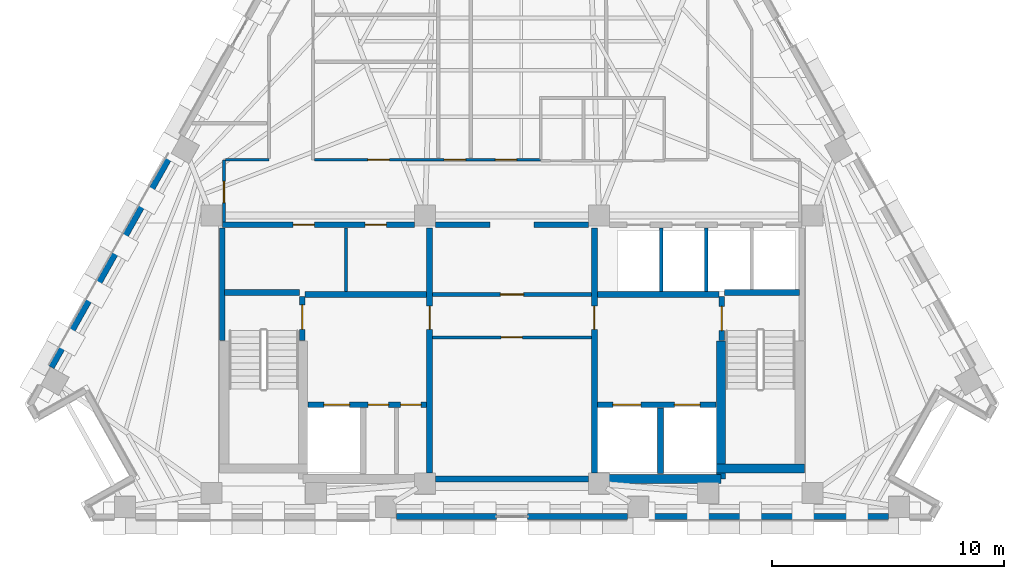
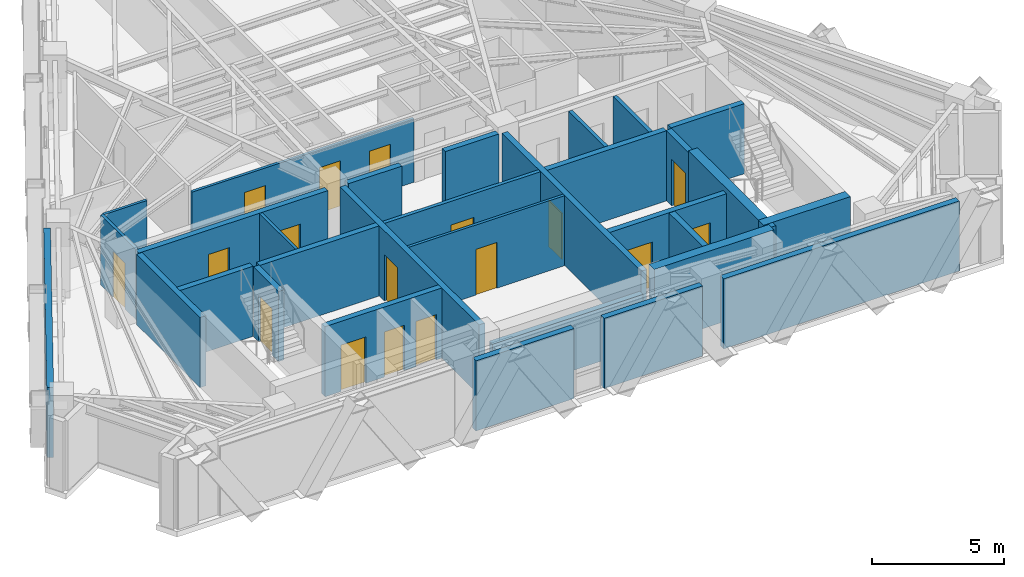
# One storey, part 7 of 12: 31 walls, 17 doors, 17 openings.
"""IFC4 building model written with IfcOpenShell, lengths in metres."""

from ifc_helpers import new_model, si_unit, direction, frame, frame_2d, origin, place, context, subcontext, project, spatial, rectangle, extrude, material, layer, layer_set, type_object, element, fill, save


model = new_model("IFC4")

# Units and contexts
model_context = context("Model", 3, precision=1e-05, world=origin(), true_north=direction((0.0, 1.0)))
body_context = subcontext(model_context, "Body", "Model", "MODEL_VIEW")
ifc_project = project(units=[si_unit("LENGTHUNIT", "METRE"), si_unit("AREAUNIT", "SQUARE_METRE"), si_unit("VOLUMEUNIT", "CUBIC_METRE"), si_unit("PLANEANGLEUNIT", "RADIAN"), si_unit("MASSUNIT", "GRAM", prefix="KILO")], contexts=[model_context])

# Site, building, storey
site_placement = place(None, origin())
site = spatial("IfcSite", under=ifc_project, at=site_placement, CompositionType="ELEMENT")
building_placement = place(site_placement, origin())
building = spatial("IfcBuilding", under=site, at=building_placement, Name="Quenlor Broadcast Tower", CompositionType="ELEMENT")
storey_placement = place(building_placement, frame((0.0, 0.0, 218.39990234375)))
storey = spatial("IfcBuildingStorey", under=building, at=storey_placement, Name="L60", CompositionType="ELEMENT", Elevation=218.39990234375)

# Walls
ifc_material_1 = material(Name="Concrete C50/60", Category="concrete")
ifc_layer_1 = layer(ifc_material_1, 0.39990234375)
ifc_layer_set_1 = layer_set([ifc_layer_1], Name="Core Concrete C50/60 Shear Wall 400")
wall_type_1 = type_object("IfcWallType", Name="Core Concrete C50/60 Shear Wall 400", PredefinedType="SHEAR", material=ifc_layer_set_1)
wall_1_placement = place(storey_placement, frame((3.75, -16.14990234375, 0.0), z_axis=(0.0, 0.0, 1.0), x_axis=(1.0, 0.0, 0.0)))
element("IfcWall", 1, at=wall_1_placement, inside=storey, type_object=wall_type_1, Name="L60 Core Shear Wall WS-E1", PredefinedType="SHEAR", context=body_context, shape_type="SweptSolid", body=[
    extrude(rectangle(XDim=5.25, YDim=0.39990234375, at=frame_2d((2.625, 0.0))), origin(), (0.0, 0.0, 1.0), 3.5),
])
wall_2_placement = place(storey_placement, frame((8.800048828125, -15.699951171875, 0.0), z_axis=(0.0, 0.0, 1.0), x_axis=(1.0, 0.0, 0.0)))
element("IfcWall", 2, at=wall_2_placement, inside=storey, type_object=wall_type_1, Name="L60 Core Shear Wall WS-E2", PredefinedType="SHEAR", context=body_context, shape_type="SweptSolid", body=[
    extrude(rectangle(XDim=3.800048828125, YDim=0.39990234375, at=frame_2d((1.89990234375, 0.0))), origin(), (0.0, 0.0, 1.0), 3.5),
])
wall_3_placement = place(storey_placement, frame((9.0, -16.14990234375, 0.0), z_axis=(0.0, 0.0, 1.0), x_axis=(0.0, 1.0, 0.0)))
element("IfcWall", 3, at=wall_3_placement, inside=storey, type_object=wall_type_1, Name="L60 Core Shear Wall WI-E", PredefinedType="SHEAR", context=body_context, shape_type="SweptSolid", body=[
    extrude(rectangle(XDim=5.949951171875, YDim=0.39990234375, at=frame_2d((2.97509765625, 0.0))), origin(), (0.0, 0.0, 1.0), 3.5),
])

# Wall, opening, door
ifc_material_2 = material(Name="Concrete C40/50", Category="concrete")
ifc_layer_2 = layer(ifc_material_2, 0.25)
ifc_layer_set_2 = layer_set([ifc_layer_2], Name="Fire Rated Concrete C40/50 Core Wall 250")
wall_type_2 = type_object("IfcWallType", Name="Fire Rated Concrete C40/50 Core Wall 250", PredefinedType="PARTITIONING", material=ifc_layer_set_2)
wall_4_placement = place(storey_placement, frame((-9.0400390625, -10.179931640625, 0.0), z_axis=(0.0, 0.0, 1.0), x_axis=(0.0, 1.0, 0.0)))
wall_4 = element("IfcWall", 4, at=wall_4_placement, inside=storey, type_object=wall_type_2, Name="L60 Interior Wall CW-ST1-DR", PredefinedType="PARTITIONING", context=body_context, shape_type="SweptSolid", body=[
    extrude(rectangle(XDim=1.89990234375, YDim=0.25, at=frame_2d((0.949951171875, 0.0))), origin(), (0.0, 0.0, 1.0), 3.25),
])
opening_1_placement = place(wall_4_placement, frame((0.47998046875, 0.0, 0.0)))
opening_1 = element("IfcOpeningElement", 5, at=opening_1_placement, cuts=wall_4, Name="Opening FD-1", PredefinedType="OPENING", context=body_context, shape_type="SweptSolid", body=[
    extrude(rectangle(XDim=1.050048828125, YDim=2.14990234375, at=frame_2d((0.52490234375, 1.074951171875))), frame((0.0, 0.135009765625, 0.0), z_axis=(0.0, -1.0, 0.0), x_axis=(1.0, 0.0, 0.0)), (0.0, 0.0, 1.0), 0.27001953125),
])
ifc_material_3 = material(Name="Fire Rated Steel Door Leaf", Category="steel")
door_type_1 = type_object("IfcDoorType", Name="Fire Isolated Stair Door 1050x2150", OperationType="NOTDEFINED", PredefinedType="DOOR", material=ifc_material_3)
door_1_placement = place(opening_1_placement, origin())
door_1 = element("IfcDoor", 6, at=door_1_placement, inside=storey, type_object=door_type_1, Name="L60 Door DR-ST1", OperationType="SINGLE_SWING_LEFT", OverallHeight=2.14990234375, OverallWidth=1.050048828125, PredefinedType="DOOR", context=body_context, shape_type="SweptSolid", body=[
    extrude(rectangle(XDim=1.050048828125, YDim=2.14990234375, at=frame_2d((0.52490234375, 1.074951171875))), frame((0.0, 0.02490234375, 0.0), z_axis=(0.0, -1.0, 0.0), x_axis=(1.0, 0.0, 0.0)), (0.0, 0.0, 1.0), 0.050048828125),
])
fill(opening_1, door_1)

wall_5_placement = place(storey_placement, frame((9.0400390625, -10.179931640625, 0.0), z_axis=(0.0, 0.0, 1.0), x_axis=(0.0, 1.0, 0.0)))
wall_5 = element("IfcWall", 7, at=wall_5_placement, inside=storey, type_object=wall_type_2, Name="L60 Interior Wall CW-ST2-DR", PredefinedType="PARTITIONING", context=body_context, shape_type="SweptSolid", body=[
    extrude(rectangle(XDim=1.89990234375, YDim=0.25, at=frame_2d((0.949951171875, 0.0))), origin(), (0.0, 0.0, 1.0), 3.25),
])
opening_2_placement = place(wall_5_placement, frame((0.419921875, 0.0, 0.0)))
opening_2 = element("IfcOpeningElement", 8, at=opening_2_placement, cuts=wall_5, Name="Opening FD-1", PredefinedType="OPENING", context=body_context, shape_type="SweptSolid", body=[
    extrude(rectangle(XDim=1.050048828125, YDim=2.14990234375, at=frame_2d((0.52490234375, 1.074951171875))), frame((0.0, 0.135009765625, 0.0), z_axis=(0.0, -1.0, 0.0), x_axis=(1.0, 0.0, 0.0)), (0.0, 0.0, 1.0), 0.27001953125),
])
door_2_placement = place(opening_2_placement, origin())
door_2 = element("IfcDoor", 9, at=door_2_placement, inside=storey, type_object=door_type_1, Name="L60 Door DR-ST2", OperationType="SINGLE_SWING_RIGHT", OverallHeight=2.14990234375, OverallWidth=1.050048828125, PredefinedType="DOOR", context=body_context, shape_type="SweptSolid", body=[
    extrude(rectangle(XDim=1.050048828125, YDim=2.14990234375, at=frame_2d((0.52490234375, 1.074951171875))), frame((0.0, 0.02490234375, 0.0), z_axis=(0.0, -1.0, 0.0), x_axis=(1.0, 0.0, 0.0)), (0.0, 0.0, 1.0), 0.050048828125),
])
fill(opening_2, door_2)

# Walls
for number, where, z_axis, x_axis, name in (
    (10, (-12.3798828125, -8.1201171875, 0.0), (0.0, 0.0, 1.0), (1.0, 0.0, 0.0), "L60 Interior Wall CW-ST1-N"),
    (11, (9.159912109375, -8.1201171875, 0.0), (0.0, 0.0, 1.0), (1.0, 0.0, 0.0), "L60 Interior Wall CW-ST2-N"),
):
    element("IfcWall", number, at=place(storey_placement, frame(where, z_axis=z_axis, x_axis=x_axis)), inside=storey, type_object=wall_type_2, Name=name, PredefinedType="PARTITIONING", context=body_context, shape_type="SweptSolid", body=[
        extrude(rectangle(XDim=3.219970703125, YDim=0.25, at=frame_2d((1.60986328125, 0.0))), origin(), (0.0, 0.0, 1.0), 3.25),
    ])
wall_6_placement = place(storey_placement, frame((-12.47998046875, -10.179931640625, 0.0), z_axis=(0.0, 0.0, 1.0), x_axis=(0.0, 1.0, 0.0)))
element("IfcWall", 12, at=wall_6_placement, inside=storey, type_object=wall_type_2, Name="L60 Interior Wall CW-ST1-W2", PredefinedType="PARTITIONING", context=body_context, shape_type="SweptSolid", body=[
    extrude(rectangle(XDim=4.83984375, YDim=0.25, at=frame_2d((2.419921875, 0.0))), origin(), (0.0, 0.0, 1.0), 3.25),
])

# Wall, openings, doors
wall_7_placement = place(storey_placement, frame((-8.798095703125, -12.949951171875, 0.0), z_axis=(0.0, 0.0, 1.0), x_axis=(1.0, 0.0, 0.0)))
wall_7 = element("IfcWall", 13, at=wall_7_placement, inside=storey, type_object=wall_type_2, Name="L60 Interior Wall CW-FFW-S", PredefinedType="PARTITIONING", context=body_context, shape_type="SweptSolid", body=[
    extrude(rectangle(XDim=5.1181640625, YDim=0.25, at=frame_2d((2.55908203125, 0.0))), origin(), (0.0, 0.0, 1.0), 3.25),
])
opening_3_placement = place(wall_7_placement, frame((0.697998046875, 0.0, 0.0)))
opening_3 = element("IfcOpeningElement", 14, at=opening_3_placement, cuts=wall_7, Name="Opening LD-FFL-1", PredefinedType="OPENING", context=body_context, shape_type="SweptSolid", body=[
    extrude(rectangle(XDim=1.10009765625, YDim=2.14990234375, at=frame_2d((0.550048828125, 1.074951171875))), frame((0.0, 0.135009765625, 0.0), z_axis=(0.0, -1.0, 0.0), x_axis=(1.0, 0.0, 0.0)), (0.0, 0.0, 1.0), 0.27001953125),
])
opening_4_placement = place(wall_7_placement, frame((2.597900390625, 0.0, 0.0)))
opening_4 = element("IfcOpeningElement", 15, at=opening_4_placement, cuts=wall_7, Name="Opening TD-1", PredefinedType="OPENING", context=body_context, shape_type="SweptSolid", body=[
    extrude(rectangle(XDim=0.8798828125, YDim=2.10009765625, at=frame_2d((0.43994140625, 1.050048828125))), frame((0.0, 0.135009765625, 0.0), z_axis=(0.0, -1.0, 0.0), x_axis=(1.0, 0.0, 0.0)), (0.0, 0.0, 1.0), 0.27001953125),
])
opening_5_placement = place(wall_7_placement, frame((3.998046875, 0.0, 0.0)))
opening_5 = element("IfcOpeningElement", 16, at=opening_5_placement, cuts=wall_7, Name="Opening TD-1", PredefinedType="OPENING", context=body_context, shape_type="SweptSolid", body=[
    extrude(rectangle(XDim=0.8798828125, YDim=2.10009765625, at=frame_2d((0.43994140625, 1.050048828125))), frame((0.0, 0.135009765625, 0.0), z_axis=(0.0, -1.0, 0.0), x_axis=(1.0, 0.0, 0.0)), (0.0, 0.0, 1.0), 0.27001953125),
])
ifc_material_4 = material(Name="Brushed Stainless Steel", Category="steel")
door_type_2 = type_object("IfcDoorType", Name="Emergency Lift Sliding Landing Door 1100x2150", OperationType="NOTDEFINED", PredefinedType="DOOR", material=ifc_material_4)
door_3_placement = place(opening_3_placement, origin())
door_3 = element("IfcDoor", 17, at=door_3_placement, inside=storey, type_object=door_type_2, Name="L60 Door LD-FFL-1", OperationType="SLIDING_TO_LEFT", OverallHeight=2.14990234375, OverallWidth=1.10009765625, PredefinedType="DOOR", context=body_context, shape_type="SweptSolid", body=[
    extrude(rectangle(XDim=1.10009765625, YDim=2.14990234375, at=frame_2d((0.550048828125, 1.074951171875))), frame((0.0, 0.02490234375, 0.0), z_axis=(0.0, -1.0, 0.0), x_axis=(1.0, 0.0, 0.0)), (0.0, 0.0, 1.0), 0.050048828125),
])
fill(opening_3, door_3)
ifc_material_5 = material(Name="Fire Rated Steel Access Panel", Category="steel")
door_type_3 = type_object("IfcDoorType", Name="Riser Shaft Rated Access Trapdoor 880x2100", OperationType="NOTDEFINED", PredefinedType="TRAPDOOR", material=ifc_material_5)
door_4_placement = place(opening_4_placement, origin())
door_4 = element("IfcDoor", 18, at=door_4_placement, inside=storey, type_object=door_type_3, Name="L60 Door DR-ELR", OperationType="SINGLE_SWING_LEFT", OverallHeight=2.10009765625, OverallWidth=0.8798828125, PredefinedType="TRAPDOOR", context=body_context, shape_type="SweptSolid", body=[
    extrude(rectangle(XDim=0.8798828125, YDim=2.10009765625, at=frame_2d((0.43994140625, 1.050048828125))), frame((0.0, 0.02490234375, 0.0), z_axis=(0.0, -1.0, 0.0), x_axis=(1.0, 0.0, 0.0)), (0.0, 0.0, 1.0), 0.050048828125),
])
fill(opening_4, door_4)
door_5_placement = place(opening_5_placement, origin())
door_5 = element("IfcDoor", 19, at=door_5_placement, inside=storey, type_object=door_type_3, Name="L60 Door DR-CMR", OperationType="SINGLE_SWING_RIGHT", OverallHeight=2.10009765625, OverallWidth=0.8798828125, PredefinedType="TRAPDOOR", context=body_context, shape_type="SweptSolid", body=[
    extrude(rectangle(XDim=0.8798828125, YDim=2.10009765625, at=frame_2d((0.43994140625, 1.050048828125))), frame((0.0, 0.02490234375, 0.0), z_axis=(0.0, -1.0, 0.0), x_axis=(1.0, 0.0, 0.0)), (0.0, 0.0, 1.0), 0.050048828125),
])
fill(opening_5, door_5)

wall_8_placement = place(storey_placement, frame((3.679931640625, -12.949951171875, 0.0), z_axis=(0.0, 0.0, 1.0), x_axis=(1.0, 0.0, 0.0)))
wall_8 = element("IfcWall", 20, at=wall_8_placement, inside=storey, type_object=wall_type_2, Name="L60 Interior Wall CW-FFE-S", PredefinedType="PARTITIONING", context=body_context, shape_type="SweptSolid", body=[
    extrude(rectangle(XDim=5.1181640625, YDim=0.25, at=frame_2d((2.55908203125, 0.0))), origin(), (0.0, 0.0, 1.0), 3.25),
])
opening_6_placement = place(wall_8_placement, frame((3.320068359375, 0.0, 0.0)))
opening_6 = element("IfcOpeningElement", 21, at=opening_6_placement, cuts=wall_8, Name="Opening LD-FFL-2", PredefinedType="OPENING", context=body_context, shape_type="SweptSolid", body=[
    extrude(rectangle(XDim=1.10009765625, YDim=2.14990234375, at=frame_2d((0.550048828125, 1.074951171875))), frame((0.0, 0.135009765625, 0.0), z_axis=(0.0, -1.0, 0.0), x_axis=(1.0, 0.0, 0.0)), (0.0, 0.0, 1.0), 0.27001953125),
])
opening_7_placement = place(wall_8_placement, frame((0.669921875, 0.0, 0.0)))
opening_7 = element("IfcOpeningElement", 22, at=opening_7_placement, cuts=wall_8, Name="Opening LD-SVL-1", PredefinedType="OPENING", context=body_context, shape_type="SweptSolid", body=[
    extrude(rectangle(XDim=1.199951171875, YDim=2.14990234375, at=frame_2d((0.60009765625, 1.074951171875))), frame((0.0, 0.135009765625, 0.0), z_axis=(0.0, -1.0, 0.0), x_axis=(1.0, 0.0, 0.0)), (0.0, 0.0, 1.0), 0.27001953125),
])
door_6_placement = place(opening_6_placement, origin())
door_6 = element("IfcDoor", 23, at=door_6_placement, inside=storey, type_object=door_type_2, Name="L60 Door LD-FFL-2", OperationType="SLIDING_TO_RIGHT", OverallHeight=2.14990234375, OverallWidth=1.10009765625, PredefinedType="DOOR", context=body_context, shape_type="SweptSolid", body=[
    extrude(rectangle(XDim=1.10009765625, YDim=2.14990234375, at=frame_2d((0.550048828125, 1.074951171875))), frame((0.0, 0.02490234375, 0.0), z_axis=(0.0, -1.0, 0.0), x_axis=(1.0, 0.0, 0.0)), (0.0, 0.0, 1.0), 0.050048828125),
])
fill(opening_6, door_6)
ifc_material_6 = material(Name="Brushed Stainless Steel", Category="steel")
door_type_4 = type_object("IfcDoorType", Name="Goods Lift Sliding Landing Door 1200x2150", OperationType="NOTDEFINED", PredefinedType="DOOR", material=ifc_material_6)
door_7_placement = place(opening_7_placement, origin())
door_7 = element("IfcDoor", 24, at=door_7_placement, inside=storey, type_object=door_type_4, Name="L60 Door LD-SVL-1", OperationType="SLIDING_TO_LEFT", OverallHeight=2.14990234375, OverallWidth=1.199951171875, PredefinedType="DOOR", context=body_context, shape_type="SweptSolid", body=[
    extrude(rectangle(XDim=1.199951171875, YDim=2.14990234375, at=frame_2d((0.60009765625, 1.074951171875))), frame((0.0, 0.02490234375, 0.0), z_axis=(0.0, -1.0, 0.0), x_axis=(1.0, 0.0, 0.0)), (0.0, 0.0, 1.0), 0.050048828125),
])
fill(opening_7, door_7)

# Walls
wall_9_placement = place(storey_placement, frame((6.39990234375, -15.919921875, 0.0), z_axis=(0.0, 0.0, 1.0), x_axis=(0.0, 1.0, 0.0)))
element("IfcWall", 25, at=wall_9_placement, inside=storey, type_object=wall_type_2, Name="L60 Interior Wall CW-SV1-E", PredefinedType="PARTITIONING", context=body_context, shape_type="SweptSolid", body=[
    extrude(rectangle(XDim=2.829833984375, YDim=0.25, at=frame_2d((1.4150390625, 0.0))), origin(), (0.0, 0.0, 1.0), 3.25),
])
for number, where, z_axis, x_axis, name in (
    (26, (-8.919921875, -8.199951171875, 0.0), (0.0, 0.0, 1.0), (1.0, 0.0, 0.0), "L60 Interior Wall CW-FFW-N"),
    (27, (3.679931640625, -8.199951171875, 0.0), (0.0, 0.0, 1.0), (1.0, 0.0, 0.0), "L60 Interior Wall CW-FFE-N"),
):
    element("IfcWall", number, at=place(storey_placement, frame(where, z_axis=z_axis, x_axis=x_axis)), inside=storey, type_object=wall_type_2, Name=name, PredefinedType="PARTITIONING", context=body_context, shape_type="SweptSolid", body=[
        extrude(rectangle(XDim=5.239990234375, YDim=0.25, at=frame_2d((2.6201171875, 0.0))), origin(), (0.0, 0.0, 1.0), 3.25),
    ])

# Wall, opening, door
wall_10_placement = place(storey_placement, frame((-3.550048828125, -15.89794921875, 0.0), z_axis=(0.0, 0.0, 1.0), x_axis=(0.0, 1.0, 0.0)))
wall_10 = element("IfcWall", 28, at=wall_10_placement, inside=storey, type_object=wall_type_2, Name="L60 Interior Wall CW-FFW-E", PredefinedType="PARTITIONING", context=body_context, shape_type="SweptSolid", body=[
    extrude(rectangle(XDim=10.557861328125, YDim=0.25, at=frame_2d((5.27880859375, 0.0))), origin(), (0.0, 0.0, 1.0), 3.25),
])
opening_8_placement = place(wall_10_placement, frame((6.197998046875, 0.0, 0.0)))
opening_8 = element("IfcOpeningElement", 29, at=opening_8_placement, cuts=wall_10, Name="Opening FD-2", PredefinedType="OPENING", context=body_context, shape_type="SweptSolid", body=[
    extrude(rectangle(XDim=1.0, YDim=2.14990234375, at=frame_2d((0.5, 1.074951171875))), frame((0.0, 0.135009765625, 0.0), z_axis=(0.0, -1.0, 0.0), x_axis=(1.0, 0.0, 0.0)), (0.0, 0.0, 1.0), 0.27001953125),
])
ifc_material_7 = material(Name="Fire Rated Glazed Steel Door", Category="steel")
door_type_5 = type_object("IfcDoorType", Name="Firefighting Lobby Smoke Door 1000x2150", OperationType="NOTDEFINED", PredefinedType="DOOR", material=ifc_material_7)
door_8_placement = place(opening_8_placement, origin())
door_8 = element("IfcDoor", 30, at=door_8_placement, inside=storey, type_object=door_type_5, Name="L60 Door DR-FFLW", OperationType="SINGLE_SWING_RIGHT", OverallHeight=2.14990234375, OverallWidth=1.0, PredefinedType="DOOR", context=body_context, shape_type="SweptSolid", body=[
    extrude(rectangle(XDim=1.0, YDim=2.14990234375, at=frame_2d((0.5, 1.074951171875))), frame((0.0, 0.02490234375, 0.0), z_axis=(0.0, -1.0, 0.0), x_axis=(1.0, 0.0, 0.0)), (0.0, 0.0, 1.0), 0.050048828125),
])
fill(opening_8, door_8)

wall_11_placement = place(storey_placement, frame((3.550048828125, -15.89794921875, 0.0), z_axis=(0.0, 0.0, 1.0), x_axis=(0.0, 1.0, 0.0)))
wall_11 = element("IfcWall", 31, at=wall_11_placement, inside=storey, type_object=wall_type_2, Name="L60 Interior Wall CW-FFE-W", PredefinedType="PARTITIONING", context=body_context, shape_type="SweptSolid", body=[
    extrude(rectangle(XDim=10.557861328125, YDim=0.25, at=frame_2d((5.27880859375, 0.0))), origin(), (0.0, 0.0, 1.0), 3.25),
])
opening_9_placement = place(wall_11_placement, frame((6.197998046875, 0.0, 0.0)))
opening_9 = element("IfcOpeningElement", 32, at=opening_9_placement, cuts=wall_11, Name="Opening FD-2", PredefinedType="OPENING", context=body_context, shape_type="SweptSolid", body=[
    extrude(rectangle(XDim=1.0, YDim=2.14990234375, at=frame_2d((0.5, 1.074951171875))), frame((0.0, 0.135009765625, 0.0), z_axis=(0.0, -1.0, 0.0), x_axis=(1.0, 0.0, 0.0)), (0.0, 0.0, 1.0), 0.27001953125),
])
door_9_placement = place(opening_9_placement, origin())
door_9 = element("IfcDoor", 33, at=door_9_placement, inside=storey, type_object=door_type_5, Name="L60 Door DR-FFLE", OperationType="SINGLE_SWING_LEFT", OverallHeight=2.14990234375, OverallWidth=1.0, PredefinedType="DOOR", context=body_context, shape_type="SweptSolid", body=[
    extrude(rectangle(XDim=1.0, YDim=2.14990234375, at=frame_2d((0.5, 1.074951171875))), frame((0.0, 0.02490234375, 0.0), z_axis=(0.0, -1.0, 0.0), x_axis=(1.0, 0.0, 0.0)), (0.0, 0.0, 1.0), 0.050048828125),
])
fill(opening_9, door_9)

# Wall, openings, doors
wall_12_placement = place(storey_placement, frame((-12.47998046875, -5.199951171875, 0.0), z_axis=(0.0, 0.0, 1.0), x_axis=(1.0, 0.0, 0.0)))
wall_12 = element("IfcWall", 34, at=wall_12_placement, inside=storey, type_object=wall_type_2, Name="L60 Interior Wall CW-N-W", PredefinedType="PARTITIONING", context=body_context, shape_type="SweptSolid", body=[
    extrude(rectangle(XDim=8.278076171875, YDim=0.25, at=frame_2d((4.13916015625, 0.0))), origin(), (0.0, 0.0, 1.0), 3.25),
])
opening_10_placement = place(wall_12_placement, frame((3.050048828125, 0.0, 0.0)))
opening_10 = element("IfcOpeningElement", 35, at=opening_10_placement, cuts=wall_12, Name="Opening ID-1", PredefinedType="OPENING", context=body_context, shape_type="SweptSolid", body=[
    extrude(rectangle(XDim=0.919921875, YDim=2.1201171875, at=frame_2d((0.4599609375, 1.06005859375))), frame((0.0, 0.135009765625, 0.0), z_axis=(0.0, -1.0, 0.0), x_axis=(1.0, 0.0, 0.0)), (0.0, 0.0, 1.0), 0.27001953125),
])
opening_11_placement = place(wall_12_placement, frame((6.14990234375, 0.0, 0.0)))
opening_11 = element("IfcOpeningElement", 36, at=opening_11_placement, cuts=wall_12, Name="Opening ID-1", PredefinedType="OPENING", context=body_context, shape_type="SweptSolid", body=[
    extrude(rectangle(XDim=0.919921875, YDim=2.1201171875, at=frame_2d((0.4599609375, 1.06005859375))), frame((0.0, 0.135009765625, 0.0), z_axis=(0.0, -1.0, 0.0), x_axis=(1.0, 0.0, 0.0)), (0.0, 0.0, 1.0), 0.27001953125),
])
ifc_material_8 = material(Name="Solid Core Timber Oak", Category="wood")
door_type_6 = type_object("IfcDoorType", Name="Single Leaf Timber Office Door 920x2120", OperationType="NOTDEFINED", PredefinedType="DOOR", material=ifc_material_8)
door_10_placement = place(opening_10_placement, origin())
door_10 = element("IfcDoor", 37, at=door_10_placement, inside=storey, type_object=door_type_6, Name="L60 Door DR-RCL1", OperationType="SINGLE_SWING_LEFT", OverallHeight=2.1201171875, OverallWidth=0.919921875, PredefinedType="DOOR", context=body_context, shape_type="SweptSolid", body=[
    extrude(rectangle(XDim=0.919921875, YDim=2.1201171875, at=frame_2d((0.4599609375, 1.06005859375))), frame((0.0, 0.02490234375, 0.0), z_axis=(0.0, -1.0, 0.0), x_axis=(1.0, 0.0, 0.0)), (0.0, 0.0, 1.0), 0.050048828125),
])
fill(opening_10, door_10)
door_11_placement = place(opening_11_placement, origin())
door_11 = element("IfcDoor", 38, at=door_11_placement, inside=storey, type_object=door_type_6, Name="L60 Door DR-RCL2", OperationType="SINGLE_SWING_RIGHT", OverallHeight=2.1201171875, OverallWidth=0.919921875, PredefinedType="DOOR", context=body_context, shape_type="SweptSolid", body=[
    extrude(rectangle(XDim=0.919921875, YDim=2.1201171875, at=frame_2d((0.4599609375, 1.06005859375))), frame((0.0, 0.02490234375, 0.0), z_axis=(0.0, -1.0, 0.0), x_axis=(1.0, 0.0, 0.0)), (0.0, 0.0, 1.0), 0.050048828125),
])
fill(opening_11, door_11)

# Walls
for number, where, z_axis, x_axis, name in (
    (39, (-3.298095703125, -5.199951171875, 0.0), (0.0, 0.0, 1.0), (1.0, 0.0, 0.0), "L60 Interior Wall CW-N-M1"),
    (40, (0.949951171875, -5.199951171875, 0.0), (0.0, 0.0, 1.0), (1.0, 0.0, 0.0), "L60 Interior Wall CW-N-M2"),
):
    element("IfcWall", number, at=place(storey_placement, frame(where, z_axis=z_axis, x_axis=x_axis)), inside=storey, type_object=wall_type_2, Name=name, PredefinedType="PARTITIONING", context=body_context, shape_type="SweptSolid", body=[
        extrude(rectangle(XDim=2.34814453125, YDim=0.25, at=frame_2d((1.174072265625, 0.0))), origin(), (0.0, 0.0, 1.0), 3.25),
    ])
wall_13_placement = place(storey_placement, frame((-3.298095703125, -16.14990234375, 0.0), z_axis=(0.0, 0.0, 1.0), x_axis=(1.0, 0.0, 0.0)))
element("IfcWall", 41, at=wall_13_placement, inside=storey, type_object=wall_type_2, Name="L60 Interior Wall CW-MS-S", PredefinedType="PARTITIONING", context=body_context, shape_type="SweptSolid", body=[
    extrude(rectangle(XDim=6.59619140625, YDim=0.25, at=frame_2d((3.298095703125, 0.0))), origin(), (0.0, 0.0, 1.0), 2.4501953125),
])
ifc_material_9 = material(Name="Gypsum Fireboard Partition", Category="other")
ifc_layer_3 = layer(ifc_material_9, 0.159912109375)
ifc_layer_set_3 = layer_set([ifc_layer_3], Name="Fire Rated Shaft and Corridor Partition 160")
wall_type_3 = type_object("IfcWallType", Name="Fire Rated Shaft and Corridor Partition 160", PredefinedType="PARTITIONING", material=ifc_layer_set_3)
for number, where, z_axis, x_axis, name in (
    (42, (6.425048828125, -8.072998046875, 0.0), (0.0, 0.0, 1.0), (0.0, 1.0, 0.0), "L60 Interior Wall CW-PLH-D1"),
    (43, (8.375, -8.072998046875, 0.0), (0.0, 0.0, 1.0), (0.0, 1.0, 0.0), "L60 Interior Wall CW-PLH-D2"),
):
    element("IfcWall", number, at=place(storey_placement, frame(where, z_axis=z_axis, x_axis=x_axis)), inside=storey, type_object=wall_type_3, Name=name, PredefinedType="PARTITIONING", context=body_context, shape_type="SweptSolid", body=[
        extrude(rectangle(XDim=2.73291015625, YDim=0.159912109375, at=frame_2d((1.366455078125, 0.0))), origin(), (0.0, 0.0, 1.0), 3.25),
    ])

# Wall, opening, door
wall_14_placement = place(storey_placement, frame((-3.419921875, -8.199951171875, 0.0), z_axis=(0.0, 0.0, 1.0), x_axis=(1.0, 0.0, 0.0)))
wall_14 = element("IfcWall", 44, at=wall_14_placement, inside=storey, type_object=wall_type_3, Name="L60 Interior Wall CW-M-BACK", PredefinedType="PARTITIONING", context=body_context, shape_type="SweptSolid", body=[
    extrude(rectangle(XDim=6.83984375, YDim=0.159912109375, at=frame_2d((3.419921875, 0.0))), origin(), (0.0, 0.0, 1.0), 3.25),
])
opening_12_placement = place(wall_14_placement, frame((2.919921875, 0.0, 0.0)))
opening_12 = element("IfcOpeningElement", 45, at=opening_12_placement, cuts=wall_14, Name="Opening FD-2", PredefinedType="OPENING", context=body_context, shape_type="SweptSolid", body=[
    extrude(rectangle(XDim=1.0, YDim=2.14990234375, at=frame_2d((0.5, 1.074951171875))), frame((0.0, 0.08984375, 0.0), z_axis=(0.0, -1.0, 0.0), x_axis=(1.0, 0.0, 0.0)), (0.0, 0.0, 1.0), 0.179931640625),
])
door_12_placement = place(opening_12_placement, origin())
door_12 = element("IfcDoor", 46, at=door_12_placement, inside=storey, type_object=door_type_5, Name="L60 Door DR-CCRP", OperationType="SINGLE_SWING_LEFT", OverallHeight=2.14990234375, OverallWidth=1.0, PredefinedType="DOOR", context=body_context, shape_type="SweptSolid", body=[
    extrude(rectangle(XDim=1.0, YDim=2.14990234375, at=frame_2d((0.5, 1.074951171875))), frame((0.0, 0.02490234375, 0.0), z_axis=(0.0, -1.0, 0.0), x_axis=(1.0, 0.0, 0.0)), (0.0, 0.0, 1.0), 0.050048828125),
])
fill(opening_12, door_12)

# Wall
ifc_material_10 = material(Name="Gypsum Plasterboard Partition", Category="other")
ifc_layer_4 = layer(ifc_material_10, 0.1201171875)
ifc_layer_set_4 = layer_set([ifc_layer_4], Name="Standard Office Partition 120")
wall_type_4 = type_object("IfcWallType", Name="Standard Office Partition 120", PredefinedType="PARTITIONING", material=ifc_layer_set_4)
wall_15_placement = place(storey_placement, frame((-7.14990234375, -8.072998046875, 0.0), z_axis=(0.0, 0.0, 1.0), x_axis=(0.0, 1.0, 0.0)))
element("IfcWall", 47, at=wall_15_placement, inside=storey, type_object=wall_type_4, Name="L60 Interior Wall CW-RCL-MID", PredefinedType="PARTITIONING", context=body_context, shape_type="SweptSolid", body=[
    extrude(rectangle(XDim=2.73291015625, YDim=0.1201171875, at=frame_2d((1.366455078125, 0.0))), origin(), (0.0, 0.0, 1.0), 3.25),
])

# Wall, opening, door
wall_16_placement = place(storey_placement, frame((-3.419921875, -10.050048828125, 0.0), z_axis=(0.0, 0.0, 1.0), x_axis=(1.0, 0.0, 0.0)))
wall_16 = element("IfcWall", 48, at=wall_16_placement, inside=storey, type_object=wall_type_4, Name="L60 Interior Wall CW-MS-N", PredefinedType="PARTITIONING", context=body_context, shape_type="SweptSolid", body=[
    extrude(rectangle(XDim=6.83984375, YDim=0.1201171875, at=frame_2d((3.419921875, 0.0))), origin(), (0.0, 0.0, 1.0), 3.25),
])
opening_13_placement = place(wall_16_placement, frame((2.949951171875, 0.0, 0.0)))
opening_13 = element("IfcOpeningElement", 49, at=opening_13_placement, cuts=wall_16, Name="Opening ID-1", PredefinedType="OPENING", context=body_context, shape_type="SweptSolid", body=[
    extrude(rectangle(XDim=0.919921875, YDim=2.1201171875, at=frame_2d((0.4599609375, 1.06005859375))), frame((0.0, 0.070068359375, 0.0), z_axis=(0.0, -1.0, 0.0), x_axis=(1.0, 0.0, 0.0)), (0.0, 0.0, 1.0), 0.14013671875),
])
door_13_placement = place(opening_13_placement, origin())
door_13 = element("IfcDoor", 50, at=door_13_placement, inside=storey, type_object=door_type_6, Name="L60 Door DR-RCMA", OperationType="SINGLE_SWING_LEFT", OverallHeight=2.1201171875, OverallWidth=0.919921875, PredefinedType="DOOR", context=body_context, shape_type="SweptSolid", body=[
    extrude(rectangle(XDim=0.919921875, YDim=2.1201171875, at=frame_2d((0.4599609375, 1.06005859375))), frame((0.0, 0.02490234375, 0.0), z_axis=(0.0, -1.0, 0.0), x_axis=(1.0, 0.0, 0.0)), (0.0, 0.0, 1.0), 0.050048828125),
])
fill(opening_13, door_13)

wall_17_placement = place(storey_placement, frame((-12.409912109375, -5.072998046875, 0.0), z_axis=(0.0, 0.0, 1.0), x_axis=(0.0, 1.0, 0.0)))
wall_17 = element("IfcWall", 51, at=wall_17_placement, inside=storey, type_object=wall_type_4, Name="L60 Interior Wall PW-CR-01", PredefinedType="PARTITIONING", context=body_context, shape_type="SweptSolid", body=[
    extrude(rectangle(XDim=2.673095703125, YDim=0.1201171875, at=frame_2d((1.33642578125, 0.0))), origin(), (0.0, 0.0, 1.0), 3.25),
])
opening_14_placement = place(wall_17_placement, frame((0.827880859375, 0.0, 0.0)))
opening_14 = element("IfcOpeningElement", 52, at=opening_14_placement, cuts=wall_17, Name="Opening ID-1", PredefinedType="OPENING", context=body_context, shape_type="SweptSolid", body=[
    extrude(rectangle(XDim=0.919921875, YDim=2.1201171875, at=frame_2d((0.4599609375, 1.06005859375))), frame((0.0, 0.070068359375, 0.0), z_axis=(0.0, -1.0, 0.0), x_axis=(1.0, 0.0, 0.0)), (0.0, 0.0, 1.0), 0.14013671875),
])
door_14_placement = place(opening_14_placement, origin())
door_14 = element("IfcDoor", 53, at=door_14_placement, inside=storey, type_object=door_type_6, Name="L60 Door DR-RM08", OperationType="SINGLE_SWING_LEFT", OverallHeight=2.1201171875, OverallWidth=0.919921875, PredefinedType="DOOR", context=body_context, shape_type="SweptSolid", body=[
    extrude(rectangle(XDim=0.919921875, YDim=2.1201171875, at=frame_2d((0.4599609375, 1.06005859375))), frame((0.0, 0.02490234375, 0.0), z_axis=(0.0, -1.0, 0.0), x_axis=(1.0, 0.0, 0.0)), (0.0, 0.0, 1.0), 0.050048828125),
])
fill(opening_14, door_14)

# Wall
wall_18_placement = place(storey_placement, frame((-12.347900390625, -2.39990234375, 0.0), z_axis=(0.0, 0.0, 1.0), x_axis=(1.0, 0.0, 0.0)))
element("IfcWall", 54, at=wall_18_placement, inside=storey, type_object=wall_type_4, Name="L60 Interior Wall PW-CR-02", PredefinedType="PARTITIONING", context=body_context, shape_type="SweptSolid", body=[
    extrude(rectangle(XDim=1.8779296875, YDim=0.1201171875, at=frame_2d((0.93896484375, 0.0))), origin(), (0.0, 0.0, 1.0), 3.25),
])

# Wall, openings, doors
wall_19_placement = place(storey_placement, frame((-8.508056640625, -2.39990234375, 0.0), z_axis=(0.0, 0.0, 1.0), x_axis=(1.0, 0.0, 0.0)))
wall_19 = element("IfcWall", 55, at=wall_19_placement, inside=storey, type_object=wall_type_4, Name="L60 Interior Wall PW-CR-06", PredefinedType="PARTITIONING", context=body_context, shape_type="SweptSolid", body=[
    extrude(rectangle(XDim=9.74609375, YDim=0.1201171875, at=frame_2d((4.873046875, 0.0))), origin(), (0.0, 0.0, 1.0), 2.94287109375),
])
opening_15_placement = place(wall_19_placement, frame((7.7890625, 0.0, 0.0)))
opening_15 = element("IfcOpeningElement", 56, at=opening_15_placement, cuts=wall_19, Name="Opening ID-1", PredefinedType="OPENING", context=body_context, shape_type="SweptSolid", body=[
    extrude(rectangle(XDim=0.919921875, YDim=2.1201171875, at=frame_2d((0.4599609375, 1.06005859375))), frame((0.0, 0.070068359375, 0.0), z_axis=(0.0, -1.0, 0.0), x_axis=(1.0, 0.0, 0.0)), (0.0, 0.0, 1.0), 0.14013671875),
])
opening_16_placement = place(wall_19_placement, frame((5.589111328125, 0.0, 0.0)))
opening_16 = element("IfcOpeningElement", 57, at=opening_16_placement, cuts=wall_19, Name="Opening ID-1", PredefinedType="OPENING", context=body_context, shape_type="SweptSolid", body=[
    extrude(rectangle(XDim=0.919921875, YDim=2.1201171875, at=frame_2d((0.4599609375, 1.06005859375))), frame((0.0, 0.070068359375, 0.0), z_axis=(0.0, -1.0, 0.0), x_axis=(1.0, 0.0, 0.0)), (0.0, 0.0, 1.0), 0.14013671875),
])
opening_17_placement = place(wall_19_placement, frame((2.302001953125, 0.0, 0.0)))
opening_17 = element("IfcOpeningElement", 58, at=opening_17_placement, cuts=wall_19, Name="Opening ID-1", PredefinedType="OPENING", context=body_context, shape_type="SweptSolid", body=[
    extrude(rectangle(XDim=0.919921875, YDim=2.1201171875, at=frame_2d((0.4599609375, 1.06005859375))), frame((0.0, 0.070068359375, 0.0), z_axis=(0.0, -1.0, 0.0), x_axis=(1.0, 0.0, 0.0)), (0.0, 0.0, 1.0), 0.14013671875),
])
door_15_placement = place(opening_15_placement, origin())
door_15 = element("IfcDoor", 59, at=door_15_placement, inside=storey, type_object=door_type_6, Name="L60 Door DR-RM02", OperationType="SINGLE_SWING_LEFT", OverallHeight=2.1201171875, OverallWidth=0.919921875, PredefinedType="DOOR", context=body_context, shape_type="SweptSolid", body=[
    extrude(rectangle(XDim=0.919921875, YDim=2.1201171875, at=frame_2d((0.4599609375, 1.06005859375))), frame((0.0, 0.02490234375, 0.0), z_axis=(0.0, -1.0, 0.0), x_axis=(1.0, 0.0, 0.0)), (0.0, 0.0, 1.0), 0.050048828125),
])
fill(opening_15, door_15)
door_16_placement = place(opening_16_placement, origin())
door_16 = element("IfcDoor", 60, at=door_16_placement, inside=storey, type_object=door_type_6, Name="L60 Door DR-RM03", OperationType="SINGLE_SWING_RIGHT", OverallHeight=2.1201171875, OverallWidth=0.919921875, PredefinedType="DOOR", context=body_context, shape_type="SweptSolid", body=[
    extrude(rectangle(XDim=0.919921875, YDim=2.1201171875, at=frame_2d((0.4599609375, 1.06005859375))), frame((0.0, 0.02490234375, 0.0), z_axis=(0.0, -1.0, 0.0), x_axis=(1.0, 0.0, 0.0)), (0.0, 0.0, 1.0), 0.050048828125),
])
fill(opening_16, door_16)
door_17_placement = place(opening_17_placement, origin())
door_17 = element("IfcDoor", 61, at=door_17_placement, inside=storey, type_object=door_type_6, Name="L60 Door DR-RM07", OperationType="SINGLE_SWING_RIGHT", OverallHeight=2.1201171875, OverallWidth=0.919921875, PredefinedType="DOOR", context=body_context, shape_type="SweptSolid", body=[
    extrude(rectangle(XDim=0.919921875, YDim=2.1201171875, at=frame_2d((0.4599609375, 1.06005859375))), frame((0.0, 0.02490234375, 0.0), z_axis=(0.0, -1.0, 0.0), x_axis=(1.0, 0.0, 0.0)), (0.0, 0.0, 1.0), 0.050048828125),
])
fill(opening_17, door_17)

# Walls
ifc_material_11 = material(Name="Precast concrete C40/50", Category="concrete")
ifc_layer_5 = layer(ifc_material_11, 0.260009765625)
ifc_layer_set_5 = layer_set([ifc_layer_5], Name="Terracotta Precast Concrete C40/50 Upper Wall 260")
wall_type_5 = type_object("IfcWallType", Name="Terracotta Precast Concrete C40/50 Upper Wall 260", PredefinedType="STANDARD", material=ifc_layer_set_5)
wall_20_placement = place(storey_placement, frame((16.220947265625, -17.77490234375, 0.0), z_axis=(0.0, 0.0, 1.0), x_axis=(-1.0, 0.0, 0.0)))
element("IfcWall", 62, at=wall_20_placement, inside=storey, type_object=wall_type_5, Name="L60 Exterior Wall L60-EW-SA", PredefinedType="STANDARD", context=body_context, shape_type="SweptSolid", body=[
    extrude(rectangle(XDim=10.328125, YDim=0.260009765625, at=frame_2d((5.1640625, 0.0))), origin(), (0.0, 0.0, 1.0), 3.25),
])
for number, where, z_axis, x_axis, name in (
    (63, (4.9677734375, -17.77490234375, 0.0), (0.0, 0.0, 1.0), (-1.0, 0.0, 0.0), "L60 Exterior Wall L60-S-SP1"),
    (64, (-0.662353515625, -17.77490234375, 0.0), (0.0, 0.0, 1.0), (-1.0, 0.0, 0.0), "L60 Exterior Wall L60-S-SP2"),
):
    element("IfcWall", number, at=place(storey_placement, frame(where, z_axis=z_axis, x_axis=x_axis)), inside=storey, type_object=wall_type_5, Name=name, PredefinedType="STANDARD", context=body_context, shape_type="SweptSolid", body=[
        extrude(rectangle(XDim=4.305419921875, YDim=0.260009765625, at=frame_2d((2.15283203125, 0.0))), origin(), (0.0, 0.0, 1.0), 3.25),
    ])
wall_21_placement = place(storey_placement, frame((-19.84375, -11.3369140625, 0.0), z_axis=(0.0, 0.0, 1.0), x_axis=(0.490246958575, 0.871583570066, 0.0)))
element("IfcWall", 65, at=wall_21_placement, inside=storey, type_object=wall_type_5, Name="L60 Exterior Wall L60-EW-NWA", PredefinedType="STANDARD", context=body_context, shape_type="SweptSolid", body=[
    extrude(rectangle(XDim=10.551513671875, YDim=0.260009765625, at=frame_2d((5.27587890625, 0.0))), origin(), (0.0, 0.0, 1.0), 3.25),
])

save(model, "model.ifc")
